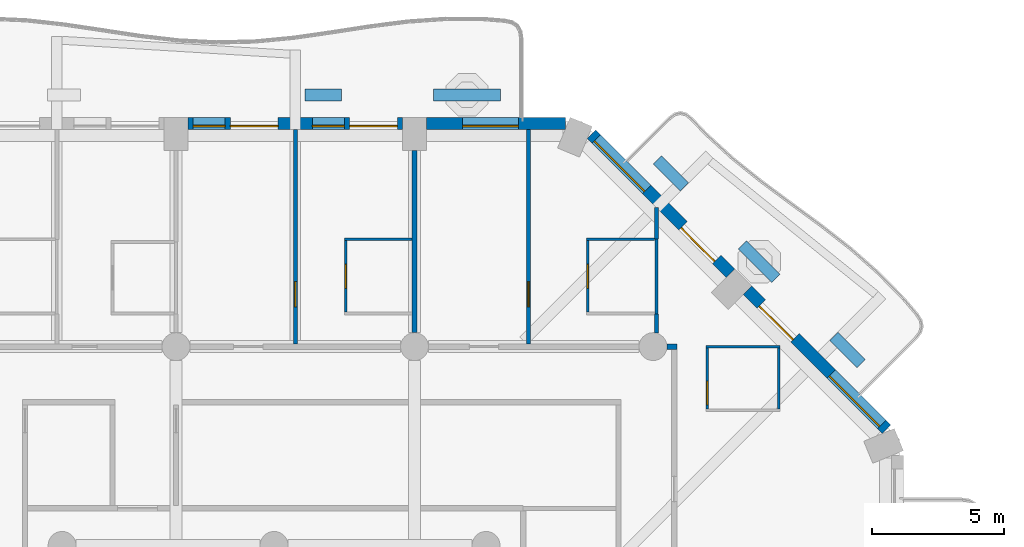
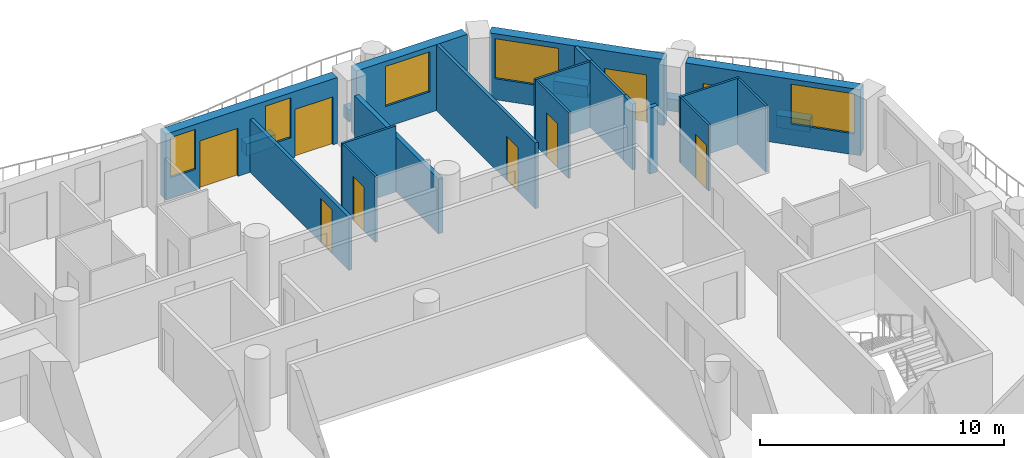
# One storey, part 10 of 20: 23 walls, 9 doors, 5 windows, 14 openings.
"""IFC4 building model written with IfcOpenShell, lengths in metres."""

from ifc_helpers import new_model, si_unit, direction, frame, frame_2d, origin, place, context, subcontext, project, spatial, rectangle, extrude, material, layer, layer_set, type_object, element, fill, save


model = new_model("IFC4")

# Units and contexts
model_context = context("Model", 3, precision=1e-05, world=origin(), true_north=direction((0.0, 1.0)))
body_context = subcontext(model_context, "Body", "Model", "MODEL_VIEW")
ifc_project = project(units=[si_unit("LENGTHUNIT", "METRE"), si_unit("AREAUNIT", "SQUARE_METRE"), si_unit("VOLUMEUNIT", "CUBIC_METRE"), si_unit("PLANEANGLEUNIT", "RADIAN"), si_unit("MASSUNIT", "GRAM", prefix="KILO")], contexts=[model_context])

# Site, building, storey
site_placement = place(None, origin())
site = spatial("IfcSite", under=ifc_project, at=site_placement, CompositionType="ELEMENT")
building_placement = place(site_placement, origin())
building = spatial("IfcBuilding", under=site, at=building_placement, Name="Cypress Arch Tower", CompositionType="ELEMENT")
storey_placement = place(building_placement, frame((0.0, 0.0, 116.699951171875)))
storey = spatial("IfcBuildingStorey", under=building, at=storey_placement, Name="L24", CompositionType="ELEMENT", Elevation=116.699951171875)

# Walls
ifc_material_1 = material(Name="Concrete C40/50, waterproofed", Category="concrete")
ifc_layer_1 = layer(ifc_material_1, 0.449951171875)
ifc_layer_set_1 = layer_set([ifc_layer_1], Name="Balcony planter wall PW450")
wall_type_1 = type_object("IfcWallType", Name="Balcony planter wall PW450", PredefinedType="SOLIDWALL", material=ifc_layer_set_1)
wall_1_placement = place(storey_placement, frame((23.150390625, 16.86376953125, 0.0), z_axis=(0.0, 0.0, 1.0), x_axis=(-0.707106781187, 0.707106781187, 0.0)))
element("IfcWall", 1, at=wall_1_placement, inside=storey, type_object=wall_type_1, Name="Balcony planter wall L24-A07.1", PredefinedType="SOLIDWALL", context=body_context, shape_type="SweptSolid", body=[
    extrude(rectangle(XDim=1.44482421875, YDim=0.449951171875, at=frame_2d((0.722412109375, 0.0))), origin(), (0.0, 0.0, 1.0), 0.60009765625),
])
wall_2_placement = place(storey_placement, frame((19.9365234375, 20.07763671875, 0.0), z_axis=(0.0, 0.0, 1.0), x_axis=(-0.707106781187, 0.707106781187, 0.0)))
element("IfcWall", 2, at=wall_2_placement, inside=storey, type_object=wall_type_1, Name="Balcony planter wall L24-A07.2", PredefinedType="SOLIDWALL", context=body_context, shape_type="SweptSolid", body=[
    extrude(rectangle(XDim=1.780517578125, YDim=0.449951171875, at=frame_2d((0.89013671875, 0.0))), origin(), (0.0, 0.0, 1.0), 0.60009765625),
])
wall_3_placement = place(storey_placement, frame((16.485595703125, 23.528564453125, 0.0), z_axis=(0.0, 0.0, 1.0), x_axis=(-0.707022305137, 0.707191247145, 0.0)))
element("IfcWall", 3, at=wall_3_placement, inside=storey, type_object=wall_type_1, Name="Balcony planter wall L24-A07.3", PredefinedType="SOLIDWALL", context=body_context, shape_type="SweptSolid", body=[
    extrude(rectangle(XDim=1.445068359375, YDim=0.449951171875, at=frame_2d((0.72265625, 0.0))), origin(), (0.0, 0.0, 1.0), 0.60009765625),
])
wall_4_placement = place(storey_placement, frame((9.550048828125, 27.0, 0.0), z_axis=(0.0, 0.0, 1.0), x_axis=(-1.0, 0.0, 0.0)))
element("IfcWall", 4, at=wall_4_placement, inside=storey, type_object=wall_type_1, Name="Balcony planter wall L24-A08.1", PredefinedType="SOLIDWALL", context=body_context, shape_type="SweptSolid", body=[
    extrude(rectangle(XDim=2.53759765625, YDim=0.449951171875, at=frame_2d((1.268798828125, 0.0))), origin(), (0.0, 0.0, 1.0), 0.60009765625),
])
wall_5_placement = place(storey_placement, frame((3.550048828125, 27.0, 0.0), z_axis=(0.0, 0.0, 1.0), x_axis=(-1.0, 0.0, 0.0)))
element("IfcWall", 5, at=wall_5_placement, inside=storey, type_object=wall_type_1, Name="Balcony planter wall L24-A08.2", PredefinedType="SOLIDWALL", context=body_context, shape_type="SweptSolid", body=[
    extrude(rectangle(XDim=1.375, YDim=0.449951171875, at=frame_2d((0.6875, 0.0))), origin(), (0.0, 0.0, 1.0), 0.60009765625),
])

# Wall, openings, door, window
ifc_material_2 = material(Name="Brick (red buff blend)", Category="masonry")
ifc_layer_2 = layer(ifc_material_2, 0.449951171875)
ifc_layer_set_2 = layer_set([ifc_layer_2], Name="Brick pier and spandrel wall BW450")
wall_type_2 = type_object("IfcWallType", Name="Brick pier and spandrel wall BW450", PredefinedType="SOLIDWALL", material=ifc_layer_set_2)
wall_6_placement = place(storey_placement, frame((24.11474609375, 14.379150390625, 0.0), z_axis=(0.0, 0.0, 1.0), x_axis=(-0.707106781187, 0.707106781187, 0.0)))
wall_6 = element("IfcWall", 6, at=wall_6_placement, inside=storey, type_object=wall_type_2, Name="Brick wall L24 A07.0", PredefinedType="SOLIDWALL", context=body_context, shape_type="SweptSolid", body=[
    extrude(rectangle(XDim=7.423828125, YDim=0.449951171875, at=frame_2d((3.7119140625, 0.0))), origin(), (0.0, 0.0, 1.0), 3.300048828125),
])
opening_1_placement = place(wall_6_placement, frame((0.253173828125, 0.0, 1.050048828125)))
opening_1 = element("IfcOpeningElement", 7, at=opening_1_placement, cuts=wall_6, Name="Opening W270HD", PredefinedType="OPENING", context=body_context, shape_type="SweptSolid", body=[
    extrude(rectangle(XDim=2.699951171875, YDim=2.0, at=frame_2d((1.35009765625, 1.0))), frame((0.0, 0.23486328125, 0.0), z_axis=(0.0, -1.0, 0.0), x_axis=(1.0, 0.0, 0.0)), (0.0, 0.0, 1.0), 0.469970703125),
])
opening_2_placement = place(wall_6_placement, frame((4.8837890625, 0.0, 0.0)))
opening_2 = element("IfcOpeningElement", 8, at=opening_2_placement, cuts=wall_6, Name="Opening D-L24-A07.0.2", PredefinedType="OPENING", context=body_context, shape_type="SweptSolid", body=[
    extrude(rectangle(XDim=1.800048828125, YDim=2.39990234375, at=frame_2d((0.89990234375, 1.199951171875))), frame((0.0, 0.23486328125, 0.0), z_axis=(0.0, -1.0, 0.0), x_axis=(1.0, 0.0, 0.0)), (0.0, 0.0, 1.0), 0.469970703125),
])
ifc_material_3 = material(Name="Anodised aluminium, bronze finish, laminated low-emissivity double glazing, large-missile impact rated", Category="aluminium")
door_type_1 = type_object("IfcDoorType", Name="Balcony sliding door 1800x2400", OperationType="SLIDING_TO_LEFT", PredefinedType="DOOR", material=ifc_material_3)
door_1_placement = place(opening_2_placement, origin())
door_1 = element("IfcDoor", 9, at=door_1_placement, inside=storey, type_object=door_type_1, Name="Balcony door L24 A07.0.2", OperationType="SLIDING_TO_LEFT", OverallHeight=2.39990234375, OverallWidth=1.800048828125, PredefinedType="DOOR", context=body_context, shape_type="SweptSolid", body=[
    extrude(rectangle(XDim=1.800048828125, YDim=2.39990234375, at=frame_2d((0.89990234375, 1.199951171875))), frame((0.0, 0.1298828125, 0.0), z_axis=(0.0, -1.0, 0.0), x_axis=(1.0, 0.0, 0.0)), (0.0, 0.0, 1.0), 0.050048828125),
])
fill(opening_2, door_1)
ifc_material_4 = material(Name="Anodised aluminium, bronze finish, laminated low-emissivity double glazing, large-missile impact rated", Category="aluminium")
window_type_1 = type_object("IfcWindowType", Name="Window Hotel 2700x2000 debris-rated", PartitioningType="SINGLE_PANEL", PredefinedType="WINDOW", material=ifc_material_4)
window_1_placement = place(opening_1_placement, origin())
window_1 = element("IfcWindow", 10, at=window_1_placement, inside=storey, type_object=window_type_1, Name="Window L24 A07.0.1", OverallHeight=2.0, OverallWidth=2.699951171875, PartitioningType="SINGLE_PANEL", PredefinedType="WINDOW", context=body_context, shape_type="SweptSolid", body=[
    extrude(rectangle(XDim=2.699951171875, YDim=2.0, at=frame_2d((1.35009765625, 1.0))), frame((0.0, 0.135009765625, 0.0), z_axis=(0.0, -1.0, 0.0), x_axis=(1.0, 0.0, 0.0)), (0.0, 0.0, 1.0), 0.06005859375),
])
fill(opening_1, window_1)

wall_7_placement = place(storey_placement, frame((18.228759765625, 20.26513671875, 0.0), z_axis=(0.0, 0.0, 1.0), x_axis=(-0.707106781187, 0.707106781187, 0.0)))
wall_7 = element("IfcWall", 11, at=wall_7_placement, inside=storey, type_object=wall_type_2, Name="Brick wall L24 A07.1", PredefinedType="SOLIDWALL", context=body_context, shape_type="SweptSolid", body=[
    extrude(rectangle(XDim=7.423828125, YDim=0.449951171875, at=frame_2d((3.7119140625, 0.0))), origin(), (0.0, 0.0, 1.0), 3.300048828125),
])
opening_3_placement = place(wall_7_placement, frame((0.740234375, 0.0, 0.0)))
opening_3 = element("IfcOpeningElement", 12, at=opening_3_placement, cuts=wall_7, Name="Opening D-L24-A07.1.1", PredefinedType="OPENING", context=body_context, shape_type="SweptSolid", body=[
    extrude(rectangle(XDim=1.800048828125, YDim=2.39990234375, at=frame_2d((0.89990234375, 1.199951171875))), frame((0.0, 0.23486328125, 0.0), z_axis=(0.0, -1.0, 0.0), x_axis=(1.0, 0.0, 0.0)), (0.0, 0.0, 1.0), 0.469970703125),
])
opening_4_placement = place(wall_7_placement, frame((4.470703125, 0.0, 1.050048828125)))
opening_4 = element("IfcOpeningElement", 13, at=opening_4_placement, cuts=wall_7, Name="Opening W270HD", PredefinedType="OPENING", context=body_context, shape_type="SweptSolid", body=[
    extrude(rectangle(XDim=2.699951171875, YDim=2.0, at=frame_2d((1.35009765625, 1.0))), frame((0.0, 0.23486328125, 0.0), z_axis=(0.0, -1.0, 0.0), x_axis=(1.0, 0.0, 0.0)), (0.0, 0.0, 1.0), 0.469970703125),
])
door_2_placement = place(opening_3_placement, origin())
door_2 = element("IfcDoor", 14, at=door_2_placement, inside=storey, type_object=door_type_1, Name="Balcony door L24 A07.1.1", OperationType="SLIDING_TO_LEFT", OverallHeight=2.39990234375, OverallWidth=1.800048828125, PredefinedType="DOOR", context=body_context, shape_type="SweptSolid", body=[
    extrude(rectangle(XDim=1.800048828125, YDim=2.39990234375, at=frame_2d((0.89990234375, 1.199951171875))), frame((0.0, 0.1298828125, 0.0), z_axis=(0.0, -1.0, 0.0), x_axis=(1.0, 0.0, 0.0)), (0.0, 0.0, 1.0), 0.050048828125),
])
fill(opening_3, door_2)
window_2_placement = place(opening_4_placement, origin())
window_2 = element("IfcWindow", 15, at=window_2_placement, inside=storey, type_object=window_type_1, Name="Window L24 A07.1.2", OverallHeight=2.0, OverallWidth=2.699951171875, PartitioningType="SINGLE_PANEL", PredefinedType="WINDOW", context=body_context, shape_type="SweptSolid", body=[
    extrude(rectangle(XDim=2.699951171875, YDim=2.0, at=frame_2d((1.35009765625, 1.0))), frame((0.0, 0.135009765625, 0.0), z_axis=(0.0, -1.0, 0.0), x_axis=(1.0, 0.0, 0.0)), (0.0, 0.0, 1.0), 0.06005859375),
])
fill(opening_4, window_2)

# Wall, opening, window
wall_8_placement = place(storey_placement, frame((11.98876953125, 25.925048828125, 0.0), z_axis=(0.0, 0.0, 1.0), x_axis=(-1.0, 0.0, 0.0)))
wall_8 = element("IfcWall", 16, at=wall_8_placement, inside=storey, type_object=wall_type_2, Name="Brick wall L24 A08.0", PredefinedType="SOLIDWALL", context=body_context, shape_type="SweptSolid", body=[
    extrude(rectangle(XDim=5.23876953125, YDim=0.449951171875, at=frame_2d((2.619384765625, 0.0))), origin(), (0.0, 0.0, 1.0), 3.300048828125),
])
opening_5_placement = place(wall_8_placement, frame((1.769775390625, 0.0, 1.050048828125)))
opening_5 = element("IfcOpeningElement", 17, at=opening_5_placement, cuts=wall_8, Name="Opening W210HD", PredefinedType="OPENING", context=body_context, shape_type="SweptSolid", body=[
    extrude(rectangle(XDim=2.10009765625, YDim=2.0, at=frame_2d((1.050048828125, 1.0))), frame((0.0, 0.23486328125, 0.0), z_axis=(0.0, -1.0, 0.0), x_axis=(1.0, 0.0, 0.0)), (0.0, 0.0, 1.0), 0.469970703125),
])
ifc_material_5 = material(Name="Anodised aluminium, bronze finish, laminated low-emissivity double glazing, large-missile impact rated", Category="aluminium")
window_type_2 = type_object("IfcWindowType", Name="Window Hotel 2100x2000 debris-rated", PartitioningType="SINGLE_PANEL", PredefinedType="WINDOW", material=ifc_material_5)
window_3_placement = place(opening_5_placement, origin())
window_3 = element("IfcWindow", 18, at=window_3_placement, inside=storey, type_object=window_type_2, Name="Window L24 A08.0.1", OverallHeight=2.0, OverallWidth=2.10009765625, PartitioningType="SINGLE_PANEL", PredefinedType="WINDOW", context=body_context, shape_type="SweptSolid", body=[
    extrude(rectangle(XDim=2.10009765625, YDim=2.0, at=frame_2d((1.050048828125, 1.0))), frame((0.0, 0.135009765625, 0.0), z_axis=(0.0, -1.0, 0.0), x_axis=(1.0, 0.0, 0.0)), (0.0, 0.0, 1.0), 0.06005859375),
])
fill(opening_5, window_3)

# Wall, openings, doors, windows
wall_9_placement = place(storey_placement, frame((5.85009765625, 25.925048828125, 0.0), z_axis=(0.0, 0.0, 1.0), x_axis=(-1.0, 0.0, 0.0)))
wall_9 = element("IfcWall", 19, at=wall_9_placement, inside=storey, type_object=wall_type_2, Name="Brick wall L24 A08.1", PredefinedType="SOLIDWALL", context=body_context, shape_type="SweptSolid", body=[
    extrude(rectangle(XDim=8.10009765625, YDim=0.449951171875, at=frame_2d((4.050048828125, 0.0))), origin(), (0.0, 0.0, 1.0), 3.300048828125),
])
opening_6_placement = place(wall_9_placement, frame((0.199951171875, 0.0, 0.0)))
opening_6 = element("IfcOpeningElement", 20, at=opening_6_placement, cuts=wall_9, Name="Opening D-L24-A08.1.1", PredefinedType="OPENING", context=body_context, shape_type="SweptSolid", body=[
    extrude(rectangle(XDim=1.800048828125, YDim=2.39990234375, at=frame_2d((0.89990234375, 1.199951171875))), frame((0.0, 0.23486328125, 0.0), z_axis=(0.0, -1.0, 0.0), x_axis=(1.0, 0.0, 0.0)), (0.0, 0.0, 1.0), 0.469970703125),
])
opening_7_placement = place(wall_9_placement, frame((2.199951171875, 0.0, 1.050048828125)))
opening_7 = element("IfcOpeningElement", 21, at=opening_7_placement, cuts=wall_9, Name="Opening W120HD", PredefinedType="OPENING", context=body_context, shape_type="SweptSolid", body=[
    extrude(rectangle(XDim=1.199951171875, YDim=2.0, at=frame_2d((0.60009765625, 1.0))), frame((0.0, 0.23486328125, 0.0), z_axis=(0.0, -1.0, 0.0), x_axis=(1.0, 0.0, 0.0)), (0.0, 0.0, 1.0), 0.469970703125),
])
opening_8_placement = place(wall_9_placement, frame((4.699951171875, 0.0, 0.0)))
opening_8 = element("IfcOpeningElement", 22, at=opening_8_placement, cuts=wall_9, Name="Opening D-L24-A08.1.2", PredefinedType="OPENING", context=body_context, shape_type="SweptSolid", body=[
    extrude(rectangle(XDim=1.800048828125, YDim=2.39990234375, at=frame_2d((0.89990234375, 1.199951171875))), frame((0.0, 0.23486328125, 0.0), z_axis=(0.0, -1.0, 0.0), x_axis=(1.0, 0.0, 0.0)), (0.0, 0.0, 1.0), 0.469970703125),
])
opening_9_placement = place(wall_9_placement, frame((6.699951171875, 0.0, 1.050048828125)))
opening_9 = element("IfcOpeningElement", 23, at=opening_9_placement, cuts=wall_9, Name="Opening W120HD", PredefinedType="OPENING", context=body_context, shape_type="SweptSolid", body=[
    extrude(rectangle(XDim=1.199951171875, YDim=2.0, at=frame_2d((0.60009765625, 1.0))), frame((0.0, 0.23486328125, 0.0), z_axis=(0.0, -1.0, 0.0), x_axis=(1.0, 0.0, 0.0)), (0.0, 0.0, 1.0), 0.469970703125),
])
door_3_placement = place(opening_6_placement, origin())
door_3 = element("IfcDoor", 24, at=door_3_placement, inside=storey, type_object=door_type_1, Name="Balcony door L24 A08.1.1", OperationType="SLIDING_TO_LEFT", OverallHeight=2.39990234375, OverallWidth=1.800048828125, PredefinedType="DOOR", context=body_context, shape_type="SweptSolid", body=[
    extrude(rectangle(XDim=1.800048828125, YDim=2.39990234375, at=frame_2d((0.89990234375, 1.199951171875))), frame((0.0, 0.1298828125, 0.0), z_axis=(0.0, -1.0, 0.0), x_axis=(1.0, 0.0, 0.0)), (0.0, 0.0, 1.0), 0.050048828125),
])
fill(opening_6, door_3)
door_4_placement = place(opening_8_placement, origin())
door_4 = element("IfcDoor", 25, at=door_4_placement, inside=storey, type_object=door_type_1, Name="Balcony door L24 A08.1.2", OperationType="SLIDING_TO_LEFT", OverallHeight=2.39990234375, OverallWidth=1.800048828125, PredefinedType="DOOR", context=body_context, shape_type="SweptSolid", body=[
    extrude(rectangle(XDim=1.800048828125, YDim=2.39990234375, at=frame_2d((0.89990234375, 1.199951171875))), frame((0.0, 0.1298828125, 0.0), z_axis=(0.0, -1.0, 0.0), x_axis=(1.0, 0.0, 0.0)), (0.0, 0.0, 1.0), 0.050048828125),
])
fill(opening_8, door_4)
ifc_material_6 = material(Name="Anodised aluminium, bronze finish, laminated low-emissivity double glazing, large-missile impact rated", Category="aluminium")
window_type_3 = type_object("IfcWindowType", Name="Window Hotel 1200x2000 debris-rated", PartitioningType="SINGLE_PANEL", PredefinedType="WINDOW", material=ifc_material_6)
window_4_placement = place(opening_7_placement, origin())
window_4 = element("IfcWindow", 26, at=window_4_placement, inside=storey, type_object=window_type_3, Name="Window L24 A08.1.1", OverallHeight=2.0, OverallWidth=1.199951171875, PartitioningType="SINGLE_PANEL", PredefinedType="WINDOW", context=body_context, shape_type="SweptSolid", body=[
    extrude(rectangle(XDim=1.199951171875, YDim=2.0, at=frame_2d((0.60009765625, 1.0))), frame((0.0, 0.135009765625, 0.0), z_axis=(0.0, -1.0, 0.0), x_axis=(1.0, 0.0, 0.0)), (0.0, 0.0, 1.0), 0.06005859375),
])
fill(opening_7, window_4)
window_5_placement = place(opening_9_placement, origin())
window_5 = element("IfcWindow", 27, at=window_5_placement, inside=storey, type_object=window_type_3, Name="Window L24 A08.1.2", OverallHeight=2.0, OverallWidth=1.199951171875, PartitioningType="SINGLE_PANEL", PredefinedType="WINDOW", context=body_context, shape_type="SweptSolid", body=[
    extrude(rectangle(XDim=1.199951171875, YDim=2.0, at=frame_2d((0.60009765625, 1.0))), frame((0.0, 0.135009765625, 0.0), z_axis=(0.0, -1.0, 0.0), x_axis=(1.0, 0.0, 0.0)), (0.0, 0.0, 1.0), 0.06005859375),
])
fill(opening_9, window_5)

# Wall
ifc_material_7 = material(Name="Concrete blockwork, plastered, rated", Category="masonry")
ifc_layer_3 = layer(ifc_material_7, 0.199951171875)
ifc_layer_set_3 = layer_set([ifc_layer_3], Name="Corridor wall FW200")
wall_type_3 = type_object("IfcWallType", Name="Corridor wall FW200", PredefinedType="PARTITIONING", material=ifc_layer_set_3)
wall_10_placement = place(storey_placement, frame((15.824951171875, 17.5, 0.0), z_axis=(0.0, 0.0, 1.0), x_axis=(1.0, 0.0, 0.0)))
element("IfcWall", 28, at=wall_10_placement, inside=storey, type_object=wall_type_3, Name="Corridor wall", PredefinedType="PARTITIONING", context=body_context, shape_type="SweptSolid", body=[
    extrude(rectangle(XDim=0.375, YDim=0.199951171875, at=frame_2d((0.1875, 0.0))), origin(), (0.0, 0.0, 1.0), 3.300048828125),
])

# Wall, opening, door
ifc_material_8 = material(Name="Blockwork, plastered both sides", Category="masonry")
ifc_layer_4 = layer(ifc_material_8, 0.14990234375)
ifc_layer_set_4 = layer_set([ifc_layer_4], Name="Partition PW150")
wall_type_4 = type_object("IfcWallType", Name="Partition PW150", PredefinedType="PARTITIONING", material=ifc_layer_set_4)
wall_11_placement = place(storey_placement, frame((1.800048828125, 17.60009765625, 0.0), z_axis=(0.0, 0.0, 1.0), x_axis=(0.0, 1.0, 0.0)))
wall_11 = element("IfcWall", 29, at=wall_11_placement, inside=storey, type_object=wall_type_4, Name="Partition", PredefinedType="PARTITIONING", context=body_context, shape_type="SweptSolid", body=[
    extrude(rectangle(XDim=8.099853515625, YDim=0.14990234375, at=frame_2d((4.0498046875, 0.0))), origin(), (0.0, 0.0, 1.0), 2.650146484375),
])
opening_10_placement = place(wall_11_placement, frame((1.39990234375, 0.0, 0.0)))
opening_10 = element("IfcOpeningElement", 30, at=opening_10_placement, cuts=wall_11, Name="Opening D12", PredefinedType="OPENING", context=body_context, shape_type="SweptSolid", body=[
    extrude(rectangle(XDim=0.949951171875, YDim=2.199951171875, at=frame_2d((0.47509765625, 1.10009765625))), frame((0.0, 0.0849609375, 0.0), z_axis=(0.0, -1.0, 0.0), x_axis=(1.0, 0.0, 0.0)), (0.0, 0.0, 1.0), 0.169921875),
])
ifc_material_9 = material(Name="Timber flush door", Category="wood")
door_type_2 = type_object("IfcDoorType", Name="Room door D12 950x2200", OperationType="SINGLE_SWING_LEFT", PredefinedType="DOOR", material=ifc_material_9)
door_5_placement = place(opening_10_placement, origin())
door_5 = element("IfcDoor", 31, at=door_5_placement, inside=storey, type_object=door_type_2, Name="Room door", OperationType="SINGLE_SWING_LEFT", OverallHeight=2.199951171875, OverallWidth=0.949951171875, PredefinedType="DOOR", context=body_context, shape_type="SweptSolid", body=[
    extrude(rectangle(XDim=0.949951171875, YDim=2.199951171875, at=frame_2d((0.47509765625, 1.10009765625))), frame((0.0, 0.02490234375, 0.0), z_axis=(0.0, -1.0, 0.0), x_axis=(1.0, 0.0, 0.0)), (0.0, 0.0, 1.0), 0.050048828125),
])
fill(opening_10, door_5)

wall_12_placement = place(storey_placement, frame((10.60009765625, 17.60009765625, 0.0), z_axis=(0.0, 0.0, 1.0), x_axis=(0.0, 1.0, 0.0)))
wall_12 = element("IfcWall", 32, at=wall_12_placement, inside=storey, type_object=wall_type_4, Name="Partition", PredefinedType="PARTITIONING", context=body_context, shape_type="SweptSolid", body=[
    extrude(rectangle(XDim=8.099853515625, YDim=0.14990234375, at=frame_2d((4.0498046875, 0.0))), origin(), (0.0, 0.0, 1.0), 3.300048828125),
])
opening_11_placement = place(wall_12_placement, frame((1.39990234375, 0.0, 0.0)))
opening_11 = element("IfcOpeningElement", 33, at=opening_11_placement, cuts=wall_12, Name="Opening D12", PredefinedType="OPENING", context=body_context, shape_type="SweptSolid", body=[
    extrude(rectangle(XDim=0.949951171875, YDim=2.199951171875, at=frame_2d((0.47509765625, 1.10009765625))), frame((0.0, 0.0849609375, 0.0), z_axis=(0.0, -1.0, 0.0), x_axis=(1.0, 0.0, 0.0)), (0.0, 0.0, 1.0), 0.169921875),
])
door_6_placement = place(opening_11_placement, origin())
door_6 = element("IfcDoor", 34, at=door_6_placement, inside=storey, type_object=door_type_2, Name="Room door", OperationType="SINGLE_SWING_LEFT", OverallHeight=2.199951171875, OverallWidth=0.949951171875, PredefinedType="DOOR", context=body_context, shape_type="SweptSolid", body=[
    extrude(rectangle(XDim=0.949951171875, YDim=2.199951171875, at=frame_2d((0.47509765625, 1.10009765625))), frame((0.0, 0.02490234375, 0.0), z_axis=(0.0, -1.0, 0.0), x_axis=(1.0, 0.0, 0.0)), (0.0, 0.0, 1.0), 0.050048828125),
])
fill(opening_11, door_6)

# Walls
wall_13_placement = place(storey_placement, frame((15.431884765625, 18.015869140625, 0.0), z_axis=(0.0, 0.0, 1.0), x_axis=(0.0, 1.0, 0.0)))
element("IfcWall", 35, at=wall_13_placement, inside=storey, type_object=wall_type_4, Name="Partition", PredefinedType="PARTITIONING", context=body_context, shape_type="SweptSolid", body=[
    extrude(rectangle(XDim=0.714111328125, YDim=0.14990234375, at=frame_2d((0.35693359375, 0.0))), origin(), (0.0, 0.0, 1.0), 3.300048828125),
])
wall_14_placement = place(storey_placement, frame((15.431884765625, 21.570068359375, 0.0), z_axis=(0.0, 0.0, 1.0), x_axis=(0.0, 1.0, 0.0)))
element("IfcWall", 36, at=wall_14_placement, inside=storey, type_object=wall_type_4, Name="Partition", PredefinedType="PARTITIONING", context=body_context, shape_type="SweptSolid", body=[
    extrude(rectangle(XDim=1.173583984375, YDim=0.14990234375, at=frame_2d((0.5869140625, 0.0))), origin(), (0.0, 0.0, 1.0), 3.300048828125),
])
ifc_material_10 = material(Name="Dense blockwork, plastered both sides, acoustic and rated", Category="masonry")
ifc_layer_5 = layer(ifc_material_10, 0.199951171875)
ifc_layer_set_5 = layer_set([ifc_layer_5], Name="Party wall PW200")
wall_type_5 = type_object("IfcWallType", Name="Party wall PW200", PredefinedType="PARTITIONING", material=ifc_layer_set_5)
wall_15_placement = place(storey_placement, frame((6.300048828125, 18.02490234375, 0.0), z_axis=(0.0, 0.0, 1.0), x_axis=(0.0, 1.0, 0.0)))
element("IfcWall", 37, at=wall_15_placement, inside=storey, type_object=wall_type_5, Name="Party wall", PredefinedType="PARTITIONING", context=body_context, shape_type="SweptSolid", body=[
    extrude(rectangle(XDim=6.875, YDim=0.199951171875, at=frame_2d((3.4375, 0.0))), origin(), (0.0, 0.0, 1.0), 2.75),
])

# Wall, opening, door
ifc_material_11 = material(Name="Moisture resistant board on steel studs, tiled", Category="steel")
ifc_layer_6 = layer(ifc_material_11, 0.10009765625)
ifc_layer_set_6 = layer_set([ifc_layer_6], Name="Wet wall PW100")
wall_type_6 = type_object("IfcWallType", Name="Wet wall PW100", PredefinedType="PARTITIONING", material=ifc_layer_set_6)
wall_16_placement = place(storey_placement, frame((3.7041015625, 18.800048828125, 0.0), z_axis=(0.0, 0.0, 1.0), x_axis=(0.0, 1.0, 0.0)))
wall_16 = element("IfcWall", 38, at=wall_16_placement, inside=storey, type_object=wall_type_6, Name="Wet wall", PredefinedType="PARTITIONING", context=body_context, shape_type="SweptSolid", body=[
    extrude(rectangle(XDim=2.699951171875, YDim=0.10009765625, at=frame_2d((1.35009765625, 0.0))), origin(), (0.0, 0.0, 1.0), 3.300048828125),
])
opening_12_placement = place(wall_16_placement, frame((0.89990234375, 0.0, 0.0)))
opening_12 = element("IfcOpeningElement", 39, at=opening_12_placement, cuts=wall_16, Name="Opening D03", PredefinedType="OPENING", context=body_context, shape_type="SweptSolid", body=[
    extrude(rectangle(XDim=0.89990234375, YDim=2.199951171875, at=frame_2d((0.449951171875, 1.10009765625))), frame((0.0, 0.06005859375, 0.0), z_axis=(0.0, -1.0, 0.0), x_axis=(1.0, 0.0, 0.0)), (0.0, 0.0, 1.0), 0.1201171875),
])
ifc_material_12 = material(Name="Timber flush door, moisture resistant", Category="wood")
door_type_3 = type_object("IfcDoorType", Name="Bathroom door D03 900x2200", OperationType="SINGLE_SWING_LEFT", PredefinedType="DOOR", material=ifc_material_12)
door_7_placement = place(opening_12_placement, origin())
door_7 = element("IfcDoor", 40, at=door_7_placement, inside=storey, type_object=door_type_3, Name="Bathroom door", OperationType="SINGLE_SWING_LEFT", OverallHeight=2.199951171875, OverallWidth=0.89990234375, PredefinedType="DOOR", context=body_context, shape_type="SweptSolid", body=[
    extrude(rectangle(XDim=0.89990234375, YDim=2.199951171875, at=frame_2d((0.449951171875, 1.10009765625))), frame((0.0, 0.02490234375, 0.0), z_axis=(0.0, -1.0, 0.0), x_axis=(1.0, 0.0, 0.0)), (0.0, 0.0, 1.0), 0.050048828125),
])
fill(opening_12, door_7)

# Wall
wall_17_placement = place(storey_placement, frame((3.654052734375, 21.550048828125, 0.0), z_axis=(0.0, 0.0, 1.0), x_axis=(1.0, 0.0, 0.0)))
element("IfcWall", 41, at=wall_17_placement, inside=storey, type_object=wall_type_6, Name="Wet wall", PredefinedType="PARTITIONING", context=body_context, shape_type="SweptSolid", body=[
    extrude(rectangle(XDim=2.5458984375, YDim=0.10009765625, at=frame_2d((1.27294921875, 0.0))), origin(), (0.0, 0.0, 1.0), 3.300048828125),
])

# Wall, opening, door
wall_18_placement = place(storey_placement, frame((12.8359375, 18.800048828125, 0.0), z_axis=(0.0, 0.0, 1.0), x_axis=(0.0, 1.0, 0.0)))
wall_18 = element("IfcWall", 42, at=wall_18_placement, inside=storey, type_object=wall_type_6, Name="Wet wall", PredefinedType="PARTITIONING", context=body_context, shape_type="SweptSolid", body=[
    extrude(rectangle(XDim=2.699951171875, YDim=0.10009765625, at=frame_2d((1.35009765625, 0.0))), origin(), (0.0, 0.0, 1.0), 3.300048828125),
])
opening_13_placement = place(wall_18_placement, frame((0.89990234375, 0.0, 0.0)))
opening_13 = element("IfcOpeningElement", 43, at=opening_13_placement, cuts=wall_18, Name="Opening D03", PredefinedType="OPENING", context=body_context, shape_type="SweptSolid", body=[
    extrude(rectangle(XDim=0.89990234375, YDim=2.199951171875, at=frame_2d((0.449951171875, 1.10009765625))), frame((0.0, 0.06005859375, 0.0), z_axis=(0.0, -1.0, 0.0), x_axis=(1.0, 0.0, 0.0)), (0.0, 0.0, 1.0), 0.1201171875),
])
door_8_placement = place(opening_13_placement, origin())
door_8 = element("IfcDoor", 44, at=door_8_placement, inside=storey, type_object=door_type_3, Name="Bathroom door", OperationType="SINGLE_SWING_LEFT", OverallHeight=2.199951171875, OverallWidth=0.89990234375, PredefinedType="DOOR", context=body_context, shape_type="SweptSolid", body=[
    extrude(rectangle(XDim=0.89990234375, YDim=2.199951171875, at=frame_2d((0.449951171875, 1.10009765625))), frame((0.0, 0.02490234375, 0.0), z_axis=(0.0, -1.0, 0.0), x_axis=(1.0, 0.0, 0.0)), (0.0, 0.0, 1.0), 0.050048828125),
])
fill(opening_13, door_8)

# Walls
wall_19_placement = place(storey_placement, frame((12.785888671875, 21.550048828125, 0.0), z_axis=(0.0, 0.0, 1.0), x_axis=(1.0, 0.0, 0.0)))
element("IfcWall", 45, at=wall_19_placement, inside=storey, type_object=wall_type_6, Name="Wet wall", PredefinedType="PARTITIONING", context=body_context, shape_type="SweptSolid", body=[
    extrude(rectangle(XDim=2.571044921875, YDim=0.10009765625, at=frame_2d((1.28564453125, 0.0))), origin(), (0.0, 0.0, 1.0), 3.300048828125),
])
wall_20_placement = place(storey_placement, frame((15.431884765625, 18.72998046875, 0.0), z_axis=(0.0, 0.0, 1.0), x_axis=(0.0, 1.0, 0.0)))
element("IfcWall", 46, at=wall_20_placement, inside=storey, type_object=wall_type_6, Name="Wet wall", PredefinedType="PARTITIONING", context=body_context, shape_type="SweptSolid", body=[
    extrude(rectangle(XDim=2.840087890625, YDim=0.10009765625, at=frame_2d((1.419921875, 0.0))), origin(), (0.0, 0.0, 1.0), 3.300048828125),
])

# Wall, opening, door
wall_21_placement = place(storey_placement, frame((17.35009765625, 15.14990234375, 0.0), z_axis=(0.0, 0.0, 1.0), x_axis=(0.0, 1.0, 0.0)))
wall_21 = element("IfcWall", 47, at=wall_21_placement, inside=storey, type_object=wall_type_6, Name="Wet wall", PredefinedType="PARTITIONING", context=body_context, shape_type="SweptSolid", body=[
    extrude(rectangle(XDim=2.300048828125, YDim=0.10009765625, at=frame_2d((1.14990234375, 0.0))), origin(), (0.0, 0.0, 1.0), 3.300048828125),
])
opening_14_placement = place(wall_21_placement, frame((0.14990234375, 0.0, 0.0)))
opening_14 = element("IfcOpeningElement", 48, at=opening_14_placement, cuts=wall_21, Name="Opening D03", PredefinedType="OPENING", context=body_context, shape_type="SweptSolid", body=[
    extrude(rectangle(XDim=0.89990234375, YDim=2.199951171875, at=frame_2d((0.449951171875, 1.10009765625))), frame((0.0, 0.06005859375, 0.0), z_axis=(0.0, -1.0, 0.0), x_axis=(1.0, 0.0, 0.0)), (0.0, 0.0, 1.0), 0.1201171875),
])
door_9_placement = place(opening_14_placement, origin())
door_9 = element("IfcDoor", 49, at=door_9_placement, inside=storey, type_object=door_type_3, Name="Bathroom door", OperationType="SINGLE_SWING_RIGHT", OverallHeight=2.199951171875, OverallWidth=0.89990234375, PredefinedType="DOOR", context=body_context, shape_type="SweptSolid", body=[
    extrude(rectangle(XDim=0.89990234375, YDim=2.199951171875, at=frame_2d((0.449951171875, 1.10009765625))), frame((0.0, 0.02490234375, 0.0), z_axis=(0.0, -1.0, 0.0), x_axis=(1.0, 0.0, 0.0)), (0.0, 0.0, 1.0), 0.050048828125),
])
fill(opening_14, door_9)

# Walls
wall_22_placement = place(storey_placement, frame((17.300048828125, 17.5, 0.0), z_axis=(0.0, 0.0, 1.0), x_axis=(1.0, 0.0, 0.0)))
element("IfcWall", 50, at=wall_22_placement, inside=storey, type_object=wall_type_6, Name="Wet wall", PredefinedType="PARTITIONING", context=body_context, shape_type="SweptSolid", body=[
    extrude(rectangle(XDim=2.800048828125, YDim=0.10009765625, at=frame_2d((1.39990234375, 0.0))), origin(), (0.0, 0.0, 1.0), 3.300048828125),
])
wall_23_placement = place(storey_placement, frame((20.050048828125, 15.14990234375, 0.0), z_axis=(0.0, 0.0, 1.0), x_axis=(0.0, 1.0, 0.0)))
element("IfcWall", 51, at=wall_23_placement, inside=storey, type_object=wall_type_6, Name="Wet wall", PredefinedType="PARTITIONING", context=body_context, shape_type="SweptSolid", body=[
    extrude(rectangle(XDim=2.300048828125, YDim=0.10009765625, at=frame_2d((1.14990234375, 0.0))), origin(), (0.0, 0.0, 1.0), 3.300048828125),
])

save(model, "model.ifc")
